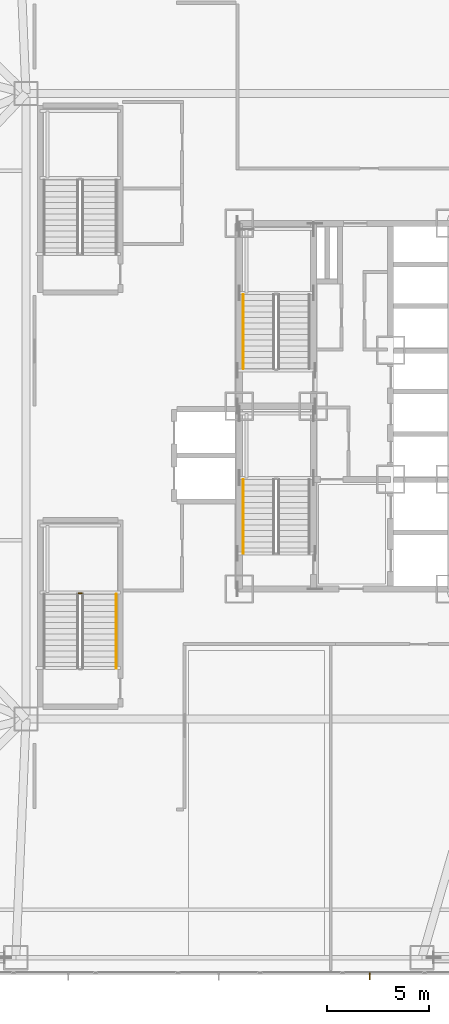
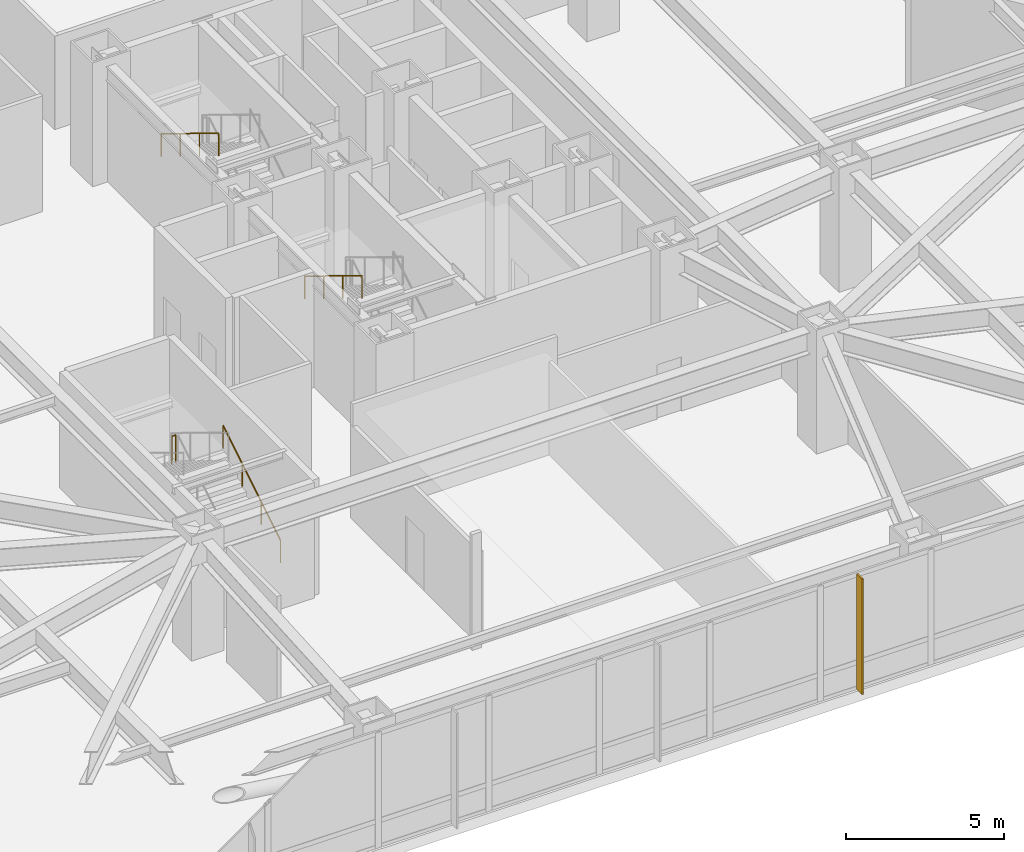
# One storey, part 28 of 33: 4 railings, 1 shading device.
"""IFC4 building model written with IfcOpenShell, lengths in metres."""

from ifc_helpers import new_model, si_unit, direction, frame, origin, origin_2d, place, context, subcontext, project, spatial, rectangle, circle, extrude, material, type_object, element, save


model = new_model("IFC4")

# Units and contexts
model_context = context("Model", 3, precision=1e-05, world=origin(), true_north=direction((0.0, 1.0)))
body_context = subcontext(model_context, "Body", "Model", "MODEL_VIEW")
ifc_project = project(units=[si_unit("LENGTHUNIT", "METRE"), si_unit("AREAUNIT", "SQUARE_METRE"), si_unit("VOLUMEUNIT", "CUBIC_METRE"), si_unit("PLANEANGLEUNIT", "RADIAN"), si_unit("MASSUNIT", "GRAM", prefix="KILO")], contexts=[model_context])

# Site, building, storey
site_placement = place(None, origin())
site = spatial("IfcSite", under=ifc_project, at=site_placement, CompositionType="ELEMENT")
building_placement = place(site_placement, origin())
building = spatial("IfcBuilding", under=site, at=building_placement, Name="Khamvora Tower", CompositionType="ELEMENT")
storey_placement = place(building_placement, frame((0.0, 0.0, 7.199951171875)))
storey = spatial("IfcBuildingStorey", under=building, at=storey_placement, Name="L01", CompositionType="ELEMENT", Elevation=7.199951171875)

# Railings
ifc_material_1 = material(Name="Brushed Stainless Steel 316", Category="steel")
railing_type_1 = type_object("IfcRailingType", Name="RAL-HDR-920", PredefinedType="HANDRAIL", material=ifc_material_1)
for number, where, name in (
    (1, (29.199951171875, 24.389892578125, 2.571533203125), "L01 ST-01 stair handrail 2"),
    (2, (29.199951171875, 33.489990234375, 2.571533203125), "L01 ST-02 stair handrail 2"),
):
    element("IfcRailing", number, at=place(storey_placement, frame(where)), inside=storey, type_object=railing_type_1, Name=name, PredefinedType="HANDRAIL", context=body_context, shape_type="SweptSolid", body=[
        extrude(circle(Radius=0.02392578125, at=origin_2d()), frame((0.0, 0.0, 0.8759765625), z_axis=(0.0, -0.852850264322, 0.5221555579), x_axis=(1.0, 0.0, 0.0)), (0.0, 0.0, 1.0), 4.267822265625),
        extrude(circle(Radius=0.02099609375, at=origin_2d()), origin(), (0.0, 0.0, 1.0), 0.851806640625),
        extrude(circle(Radius=0.02099609375, at=origin_2d()), frame((0.0, -1.21337890625, 0.742919921875)), (0.0, 0.0, 1.0), 0.851806640625),
        extrude(circle(Radius=0.02099609375, at=origin_2d()), frame((0.0, -2.426513671875, 1.485595703125)), (0.0, 0.0, 1.0), 0.851806640625),
        extrude(circle(Radius=0.02099609375, at=origin_2d()), frame((0.0, -3.639892578125, 2.228515625)), (0.0, 0.0, 1.0), 0.851806640625),
    ])
railing_1_placement = place(storey_placement, frame((22.949951171875, 15.10009765625, 0.17138671875)))
element("IfcRailing", 3, at=railing_1_placement, inside=storey, type_object=railing_type_1, Name="L01 ST-03 stair handrail 1", PredefinedType="HANDRAIL", context=body_context, shape_type="SweptSolid", body=[
    extrude(circle(Radius=0.02392578125, at=origin_2d()), frame((0.0, 0.0, 0.8759765625), z_axis=(0.0, 0.852824790078, 0.522197163366), x_axis=(-1.0, 0.0, 0.0)), (0.0, 0.0, 1.0), 4.26806640625),
    extrude(circle(Radius=0.02099609375, at=origin_2d()), origin(), (0.0, 0.0, 1.0), 0.851806640625),
    extrude(circle(Radius=0.02099609375, at=origin_2d()), frame((0.0, 1.21337890625, 0.742919921875)), (0.0, 0.0, 1.0), 0.851806640625),
    extrude(circle(Radius=0.02099609375, at=origin_2d()), frame((0.0, 2.426513671875, 1.48583984375)), (0.0, 0.0, 1.0), 0.851806640625),
    extrude(circle(Radius=0.02099609375, at=origin_2d()), frame((0.0, 3.639892578125, 2.228759765625)), (0.0, 0.0, 1.0), 0.851806640625),
])
ifc_material_2 = material(Name="Stainless Steel 316", Category="steel")
railing_type_2 = type_object("IfcRailingType", Name="RAL-STG-1100", PredefinedType="GUARDRAIL", material=ifc_material_2)
railing_2_placement = place(storey_placement, frame((21.25, 18.7900390625, 2.400146484375)))
element("IfcRailing", 4, at=railing_2_placement, inside=storey, type_object=railing_type_2, Name="L01 ST-03 stair guard 2", PredefinedType="GUARDRAIL", context=body_context, shape_type="SweptSolid", body=[
    extrude(circle(Radius=0.02392578125, at=origin_2d()), frame((0.0, 0.0, 1.076171875), z_axis=(-1.0, 0.0, 0.0), x_axis=(0.0, -1.0, 0.0)), (0.0, 0.0, 1.0), 0.14990234375),
    extrude(circle(Radius=0.02099609375, at=origin_2d()), origin(), (0.0, 0.0, 1.0), 1.052001953125),
    extrude(circle(Radius=0.02099609375, at=origin_2d()), frame((-0.14990234375, 0.0, 0.0)), (0.0, 0.0, 1.0), 1.052001953125),
])

# Shading device
ifc_material_3 = material(Name="Anodised Bronze Aluminium 6063-T6", Category="aluminium")
shading_device_type = type_object("IfcShadingDeviceType", Name="SHD-FIN-350", PredefinedType="USERDEFINED", material=ifc_material_3)
shading_device_placement = place(storey_placement, frame((35.425048828125, -0.077880859375, 0.0), z_axis=(0.0, 0.0, 1.0), x_axis=(-1.0, 0.0, 0.0)))
element("IfcShadingDevice", 5, at=shading_device_placement, inside=storey, type_object=shading_device_type, Name="L01 anodised bronze solar fin 14.02", ObjectType="FIN", PredefinedType="USERDEFINED", context=body_context, shape_type="SweptSolid", body=[
    extrude(rectangle(XDim=0.054931640625, YDim=0.35009765625, at=origin_2d()), origin(), (0.0, 0.0, 1.0), 4.47998046875),
])

save(model, "model.ifc")
